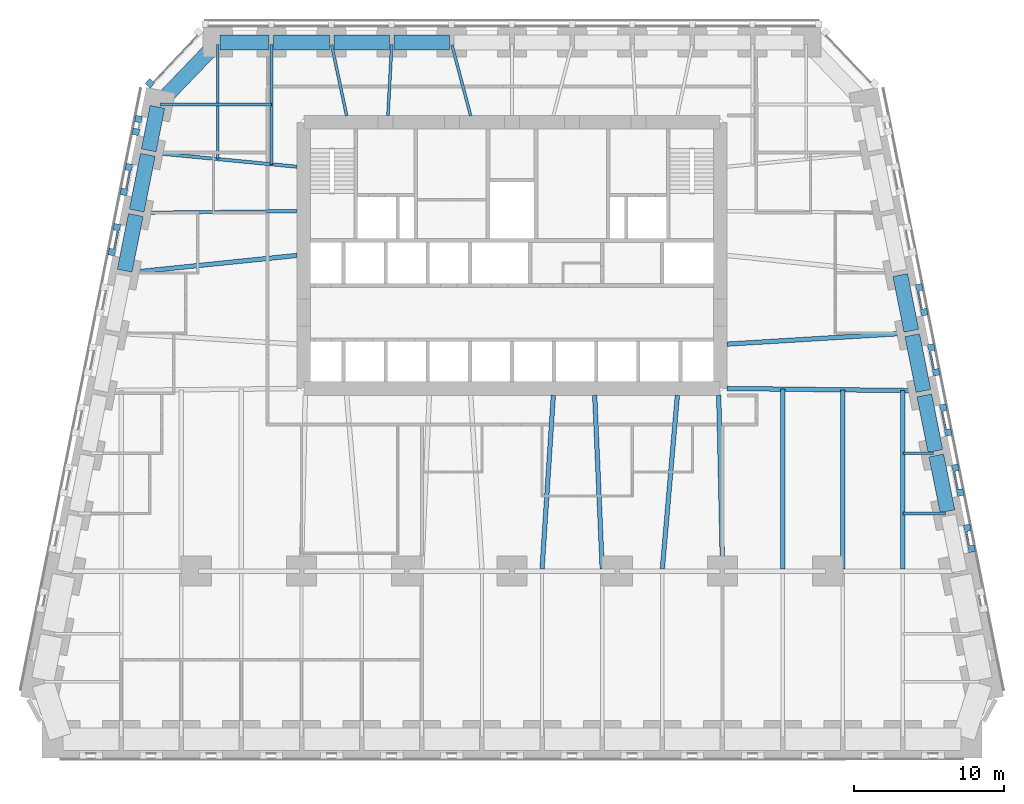
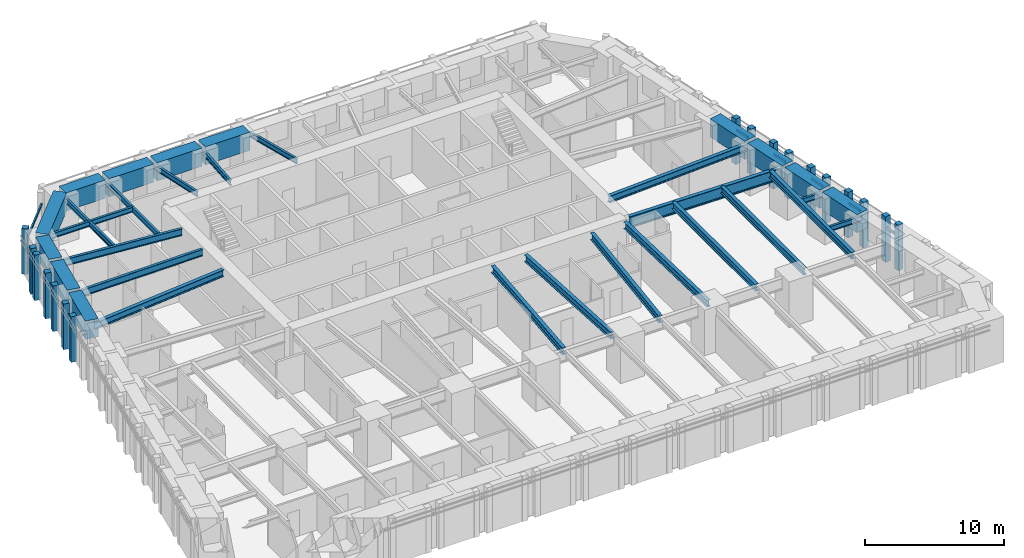
# One storey, part 3 of 16: 32 beams, 25 members, 9 elements without a shape of their own.
"""IFC4 building model written with IfcOpenShell, lengths in metres."""

from ifc_helpers import new_model, si_unit, direction, frame, origin, origin_2d, place, context, subcontext, project, spatial, rectangle, i_section, extrude, material, material_profile, profile_set, type_object, element, aggregate, save


model = new_model("IFC4")

# Units and contexts
model_context = context("Model", 3, precision=1e-05, world=origin(), true_north=direction((0.0, 1.0)))
body_context = subcontext(model_context, "Body", "Model", "MODEL_VIEW")
ifc_project = project(units=[si_unit("LENGTHUNIT", "METRE"), si_unit("AREAUNIT", "SQUARE_METRE"), si_unit("VOLUMEUNIT", "CUBIC_METRE"), si_unit("PLANEANGLEUNIT", "RADIAN"), si_unit("MASSUNIT", "GRAM", prefix="KILO")], contexts=[model_context])

# Site, building, storey
site_placement = place(None, origin())
site = spatial("IfcSite", under=ifc_project, at=site_placement, CompositionType="ELEMENT")
building_placement = place(site_placement, origin())
building = spatial("IfcBuilding", under=site, at=building_placement, Name="Isbrekke Arena Tower", CompositionType="ELEMENT")
storey_placement = place(building_placement, frame((0.0, 0.0, 52.0)))
storey = spatial("IfcBuildingStorey", under=building, at=storey_placement, Name="L10", CompositionType="ELEMENT", Elevation=52.0)

# Beams
ifc_material_1 = material(Name="Steel S355", Category="steel")
ifc_material_profile_1 = material_profile(ifc_material_1, i_section(OverallWidth=0.219970703125, OverallDepth=0.60009765625, WebThickness=0.011962890625, FlangeThickness=0.01904296875, FilletRadius=0.02392578125, at=origin_2d()), Name="IPE 600")
ifc_profile_set_1 = profile_set([ifc_material_profile_1], Name="Steel S355")
beam_type_1 = type_object("IfcBeamType", Name="B1 IPE 600", PredefinedType="BEAM", material=ifc_profile_set_1)
beam_1_placement = place(storey_placement, frame((-24.030517578125, 21.837158203125, 3.550048828125), z_axis=(0.995393091527, -0.095878012805, 0.0), x_axis=(0.095878012805, 0.995393091527, 0.0)))
element("IfcBeam", 1, at=beam_1_placement, inside=storey, type_object=beam_type_1, Name="B1 beam E-W02 L10", PredefinedType="BEAM", context=body_context, shape_type="SweptSolid", body=[
    extrude(i_section(OverallWidth=0.219970703125, OverallDepth=0.60009765625, WebThickness=0.011962890625, FlangeThickness=0.01904296875, FilletRadius=0.02392578125, at=origin_2d()), origin(), (0.0, 0.0, 1.0), 9.775390625),
])
beam_2_placement = place(storey_placement, frame((-24.83984375, 17.838134765625, 3.550048828125), z_axis=(0.999943729589, 0.010608376645, 0.0), x_axis=(-0.010608376645, 0.999943729589, 0.0)))
element("IfcBeam", 2, at=beam_2_placement, inside=storey, type_object=beam_type_1, Name="B1 beam E-W03 L10", PredefinedType="BEAM", context=body_context, shape_type="SweptSolid", body=[
    extrude(i_section(OverallWidth=0.219970703125, OverallDepth=0.60009765625, WebThickness=0.011962890625, FlangeThickness=0.01904296875, FilletRadius=0.02392578125, at=origin_2d()), origin(), (0.0, 0.0, 1.0), 10.540283203125),
])
ifc_material_2 = material(Name="Steel S355", Category="steel")
ifc_material_profile_2 = material_profile(ifc_material_2, i_section(OverallWidth=0.18994140625, OverallDepth=0.449951171875, WebThickness=0.009521484375, FlangeThickness=0.0146484375, FilletRadius=0.02099609375, at=origin_2d()), Name="IPE 450")
ifc_profile_set_2 = profile_set([ifc_material_profile_2], Name="Steel S355")
beam_type_2 = type_object("IfcBeamType", Name="B2 IPE 450", PredefinedType="BEAM", material=ifc_profile_set_2)
beam_3_placement = place(storey_placement, frame((28.841064453125, -2.161865234375, 3.625), z_axis=(-1.0, 0.0, 0.0), x_axis=(0.0, -1.0, 0.0)))
element("IfcBeam", 3, at=beam_3_placement, inside=storey, type_object=beam_type_2, Name="B2 beam E-E04 L10", PredefinedType="BEAM", context=body_context, shape_type="SweptSolid", body=[
    extrude(i_section(OverallWidth=0.18994140625, OverallDepth=0.449951171875, WebThickness=0.009521484375, FlangeThickness=0.0146484375, FilletRadius=0.02099609375, at=origin_2d()), origin(), (0.0, 0.0, 1.0), 2.841064453125),
])
beam_4_placement = place(storey_placement, frame((28.041015625, 1.838134765625, 3.625), z_axis=(-1.0, 0.0, 0.0), x_axis=(0.0, -1.0, 0.0)))
element("IfcBeam", 4, at=beam_4_placement, inside=storey, type_object=beam_type_2, Name="B2 beam E-E05 L10", PredefinedType="BEAM", context=body_context, shape_type="SweptSolid", body=[
    extrude(i_section(OverallWidth=0.18994140625, OverallDepth=0.449951171875, WebThickness=0.009521484375, FlangeThickness=0.0146484375, FilletRadius=0.02099609375, at=origin_2d()), origin(), (0.0, 0.0, 1.0), 2.041015625),
])
beam_5_placement = place(storey_placement, frame((-23.40283203125, 25.029296875, 3.625), z_axis=(1.0, 0.0, 0.0), x_axis=(0.0, 1.0, 0.0)))
element("IfcBeam", 5, at=beam_5_placement, inside=storey, type_object=beam_type_2, Name="B2 beam E-W01 L10", PredefinedType="BEAM", context=body_context, shape_type="SweptSolid", body=[
    extrude(i_section(OverallWidth=0.18994140625, OverallDepth=0.449951171875, WebThickness=0.009521484375, FlangeThickness=0.0146484375, FilletRadius=0.02099609375, at=origin_2d()), origin(), (0.0, 0.0, 1.0), 7.40283203125),
])
ifc_material_3 = material(Name="Steel S355", Category="steel")
ifc_material_profile_3 = material_profile(ifc_material_3, i_section(OverallWidth=0.18994140625, OverallDepth=0.449951171875, WebThickness=0.009521484375, FlangeThickness=0.0146484375, FilletRadius=0.02099609375, at=origin_2d()), Name="IPE 450")
ifc_profile_set_3 = profile_set([ifc_material_profile_3], Name="Steel S355")
beam_type_3 = type_object("IfcBeamType", Name="B3 IPE 450", PredefinedType="BEAM", material=ifc_profile_set_3)
beam_6_placement = place(storey_placement, frame((-16.0, 29.02490234375, 3.625), z_axis=(0.0, -1.0, 0.0), x_axis=(1.0, 0.0, 0.0)))
element("IfcBeam", 6, at=beam_6_placement, inside=storey, type_object=beam_type_3, Name="B3 beam N-N10 L10", PredefinedType="BEAM", context=body_context, shape_type="SweptSolid", body=[
    extrude(i_section(OverallWidth=0.18994140625, OverallDepth=0.449951171875, WebThickness=0.009521484375, FlangeThickness=0.0146484375, FilletRadius=0.02099609375, at=origin_2d()), origin(), (0.0, 0.0, 1.0), 7.961181640625),
])
beam_7_placement = place(storey_placement, frame((-19.574951171875, 29.02490234375, 3.625), z_axis=(0.0, -1.0, 0.0), x_axis=(1.0, 0.0, 0.0)))
element("IfcBeam", 7, at=beam_7_placement, inside=storey, type_object=beam_type_3, Name="B3 beam N-N11 L10", PredefinedType="BEAM", context=body_context, shape_type="SweptSolid", body=[
    extrude(i_section(OverallWidth=0.18994140625, OverallDepth=0.449951171875, WebThickness=0.009521484375, FlangeThickness=0.0146484375, FilletRadius=0.02099609375, at=origin_2d()), origin(), (0.0, 0.0, 1.0), 7.616943359375),
])
beam_8_placement = place(storey_placement, frame((-3.993896484375, 29.00146484375, 3.625), z_axis=(0.255778031922, -0.966735536942, 0.0), x_axis=(0.966735536942, 0.255778031922, 0.0)))
element("IfcBeam", 8, at=beam_8_placement, inside=storey, type_object=beam_type_3, Name="B3 beam N-N07 L10", PredefinedType="BEAM", context=body_context, shape_type="SweptSolid", body=[
    extrude(i_section(OverallWidth=0.18994140625, OverallDepth=0.449951171875, WebThickness=0.009521484375, FlangeThickness=0.0146484375, FilletRadius=0.02099609375, at=origin_2d()), origin(), (0.0, 0.0, 1.0), 4.86328125),
])
beam_9_placement = place(storey_placement, frame((-8.000244140625, 29.02001953125, 3.625), z_axis=(-0.05284078094, -0.998602950061, 0.0), x_axis=(0.998602950061, -0.05284078094, 0.0)))
element("IfcBeam", 9, at=beam_9_placement, inside=storey, type_object=beam_type_3, Name="B3 beam N-N08 L10", PredefinedType="BEAM", context=body_context, shape_type="SweptSolid", body=[
    extrude(i_section(OverallWidth=0.18994140625, OverallDepth=0.449951171875, WebThickness=0.009521484375, FlangeThickness=0.0146484375, FilletRadius=0.02099609375, at=origin_2d()), origin(), (0.0, 0.0, 1.0), 4.7265625),
])
beam_10_placement = place(storey_placement, frame((-11.995849609375, 29.005859375, 3.625), z_axis=(0.207036135686, -0.978333296234, 0.0), x_axis=(0.978333296234, 0.207036135686, 0.0)))
element("IfcBeam", 10, at=beam_10_placement, inside=storey, type_object=beam_type_3, Name="B3 beam N-N09 L10", PredefinedType="BEAM", context=body_context, shape_type="SweptSolid", body=[
    extrude(i_section(OverallWidth=0.18994140625, OverallDepth=0.449951171875, WebThickness=0.009521484375, FlangeThickness=0.0146484375, FilletRadius=0.02099609375, at=origin_2d()), origin(), (0.0, 0.0, 1.0), 4.81005859375),
])
ifc_material_4 = material(Name="Steel S355", Category="steel")
ifc_material_profile_4 = material_profile(ifc_material_4, i_section(OverallWidth=0.300048828125, OverallDepth=0.60009765625, WebThickness=0.015380859375, FlangeThickness=0.030029296875, FilletRadius=0.027099609375, at=origin_2d()), Name="HEB 600")
ifc_profile_set_4 = profile_set([ifc_material_profile_4], Name="Steel S355")
beam_type_4 = type_object("IfcBeamType", Name="B7 HEB 600", PredefinedType="BEAM", material=ifc_profile_set_4)
beam_11_placement = place(storey_placement, frame((2.000732421875, -5.83935546875, 3.550048828125), z_axis=(0.064795318476, 0.997898575359, 0.0), x_axis=(-0.997898575359, 0.064795318476, 0.0)))
element("IfcBeam", 11, at=beam_11_placement, inside=storey, type_object=beam_type_4, Name="B7 beam C-M08 L10", PredefinedType="BEAM", context=body_context, shape_type="SweptSolid", body=[
    extrude(i_section(OverallWidth=0.300048828125, OverallDepth=0.60009765625, WebThickness=0.015380859375, FlangeThickness=0.030029296875, FilletRadius=0.027099609375, at=origin_2d()), origin(), (0.0, 0.0, 1.0), 11.563720703125),
])
beam_12_placement = place(storey_placement, frame((5.999755859375, -5.842529296875, 3.550048828125), z_axis=(-0.04325656756, 0.99906399663, 0.0), x_axis=(-0.99906399663, -0.04325656756, 0.0)))
element("IfcBeam", 12, at=beam_12_placement, inside=storey, type_object=beam_type_4, Name="B7 beam C-M09 L10", PredefinedType="BEAM", context=body_context, shape_type="SweptSolid", body=[
    extrude(i_section(OverallWidth=0.300048828125, OverallDepth=0.60009765625, WebThickness=0.015380859375, FlangeThickness=0.030029296875, FilletRadius=0.027099609375, at=origin_2d()), origin(), (0.0, 0.0, 1.0), 11.55322265625),
])
beam_13_placement = place(storey_placement, frame((10.001220703125, -5.836181640625, 3.550048828125), z_axis=(0.086255671377, 0.996273034442, 0.0), x_axis=(-0.996273034442, 0.086255671377, 0.0)))
element("IfcBeam", 13, at=beam_13_placement, inside=storey, type_object=beam_type_4, Name="B7 beam C-M10 L10", PredefinedType="BEAM", context=body_context, shape_type="SweptSolid", body=[
    extrude(i_section(OverallWidth=0.300048828125, OverallDepth=0.60009765625, WebThickness=0.015380859375, FlangeThickness=0.030029296875, FilletRadius=0.027099609375, at=origin_2d()), origin(), (0.0, 0.0, 1.0), 11.579345703125),
])
beam_14_placement = place(storey_placement, frame((14.0, -5.8466796875, 3.550048828125), z_axis=(-0.021646264273, 0.999765692171, 0.0), x_axis=(-0.999765692171, -0.021646264273, 0.0)))
element("IfcBeam", 14, at=beam_14_placement, inside=storey, type_object=beam_type_4, Name="B7 beam C-M11 L10", PredefinedType="BEAM", context=body_context, shape_type="SweptSolid", body=[
    extrude(i_section(OverallWidth=0.300048828125, OverallDepth=0.60009765625, WebThickness=0.015380859375, FlangeThickness=0.030029296875, FilletRadius=0.027099609375, at=origin_2d()), origin(), (0.0, 0.0, 1.0), 11.54931640625),
])
beam_15_placement = place(storey_placement, frame((18.0, -5.84912109375, 3.550048828125), z_axis=(0.0, 1.0, 0.0), x_axis=(-1.0, 0.0, 0.0)))
element("IfcBeam", 15, at=beam_15_placement, inside=storey, type_object=beam_type_4, Name="B7 beam C-M12 L10", PredefinedType="BEAM", context=body_context, shape_type="SweptSolid", body=[
    extrude(i_section(OverallWidth=0.300048828125, OverallDepth=0.60009765625, WebThickness=0.015380859375, FlangeThickness=0.030029296875, FilletRadius=0.027099609375, at=origin_2d()), origin(), (0.0, 0.0, 1.0), 11.956787109375),
])
beam_16_placement = place(storey_placement, frame((22.0, -5.84912109375, 3.550048828125), z_axis=(0.0, 1.0, 0.0), x_axis=(-1.0, 0.0, 0.0)))
element("IfcBeam", 16, at=beam_16_placement, inside=storey, type_object=beam_type_4, Name="B7 beam C-M13 L10", PredefinedType="BEAM", context=body_context, shape_type="SweptSolid", body=[
    extrude(i_section(OverallWidth=0.300048828125, OverallDepth=0.60009765625, WebThickness=0.015380859375, FlangeThickness=0.030029296875, FilletRadius=0.027099609375, at=origin_2d()), origin(), (0.0, 0.0, 1.0), 11.910888671875),
])
beam_17_placement = place(storey_placement, frame((26.0, -5.84912109375, 3.550048828125), z_axis=(0.0, 1.0, 0.0), x_axis=(-1.0, 0.0, 0.0)))
element("IfcBeam", 17, at=beam_17_placement, inside=storey, type_object=beam_type_4, Name="B7 beam C-M14 L10", PredefinedType="BEAM", context=body_context, shape_type="SweptSolid", body=[
    extrude(i_section(OverallWidth=0.300048828125, OverallDepth=0.60009765625, WebThickness=0.015380859375, FlangeThickness=0.030029296875, FilletRadius=0.027099609375, at=origin_2d()), origin(), (0.0, 0.0, 1.0), 11.864990234375),
])
beam_18_placement = place(storey_placement, frame((26.431884765625, 9.837646484375, 3.550048828125), z_axis=(-0.998157121592, -0.060682457223, 0.0), x_axis=(0.060682457223, -0.998157121592, 0.0)))
element("IfcBeam", 18, at=beam_18_placement, inside=storey, type_object=beam_type_4, Name="B7 beam E-E07 L10", PredefinedType="BEAM", context=body_context, shape_type="SweptSolid", body=[
    extrude(i_section(OverallWidth=0.300048828125, OverallDepth=0.60009765625, WebThickness=0.015380859375, FlangeThickness=0.030029296875, FilletRadius=0.027099609375, at=origin_2d()), origin(), (0.0, 0.0, 1.0), 12.154296875),
])
beam_19_placement = place(storey_placement, frame((-25.625732421875, 13.83984375, 3.550048828125), z_axis=(0.994794378016, 0.101902627384, 0.0), x_axis=(-0.101902627384, 0.994794378016, 0.0)))
element("IfcBeam", 19, at=beam_19_placement, inside=storey, type_object=beam_type_4, Name="B7 beam E-W04 L10", PredefinedType="BEAM", context=body_context, shape_type="SweptSolid", body=[
    extrude(i_section(OverallWidth=0.300048828125, OverallDepth=0.60009765625, WebThickness=0.015380859375, FlangeThickness=0.030029296875, FilletRadius=0.027099609375, at=origin_2d()), origin(), (0.0, 0.0, 1.0), 11.385009765625),
])

# Curtain wall, members
ifc_material_5 = material(Name="Glazed aluminium curtain wall", Category="aluminium")
curtain_wall_type = type_object("IfcCurtainWallType", Name="CWL TOWER CURTAIN WALL LOW ZONE", PredefinedType="USERDEFINED", material=ifc_material_5)
curtain_wall_1_placement = place(storey_placement, origin())
curtain_wall_1 = element("IfcCurtainWall", 20, at=curtain_wall_1_placement, inside=storey, type_object=curtain_wall_type, Name="CWL curtain wall L10-E5", ObjectType="TOWER CURTAIN WALL LOW ZONE", PredefinedType="USERDEFINED")
ifc_material_6 = material(Name="Aluminium mullion, pale brick slip cladding", Category="masonry")
ifc_material_profile_5 = material_profile(ifc_material_6, rectangle(XDim=0.449951171875, YDim=0.449951171875, at=origin_2d()), Name="PIER 450X450")
ifc_profile_set_5 = profile_set([ifc_material_profile_5], Name="Aluminium mullion, pale brick slip cladding")
member_type_1 = type_object("IfcMemberType", Name="CWL-M PIER MULLION 450 x 450", PredefinedType="MULLION", material=ifc_profile_set_5)
member_1_placement = place(storey_placement, frame((30.555908203125, -4.504638671875, 0.0), z_axis=(0.0, 0.0, 1.0), x_axis=(-0.196116135138, 0.980580675691, 0.0)))
member_1 = element("IfcMember", 21, at=member_1_placement, type_object=member_type_1, Name="CWL-M mullion 1", PredefinedType="MULLION", context=body_context, shape_type="SweptSolid", body=[
    extrude(rectangle(XDim=0.449951171875, YDim=0.449951171875, at=origin_2d()), origin(), (0.0, 0.0, 1.0), 4.0),
])
member_2_placement = place(storey_placement, frame((30.280517578125, -3.127685546875, 0.0), z_axis=(0.0, 0.0, 1.0), x_axis=(-0.196116135138, 0.980580675691, 0.0)))
member_2 = element("IfcMember", 22, at=member_2_placement, type_object=member_type_1, Name="CWL-M mullion 2", PredefinedType="MULLION", context=body_context, shape_type="SweptSolid", body=[
    extrude(rectangle(XDim=0.449951171875, YDim=0.449951171875, at=origin_2d()), origin(), (0.0, 0.0, 1.0), 4.0),
])

curtain_wall_2_placement = place(storey_placement, origin())
curtain_wall_2 = element("IfcCurtainWall", 23, at=curtain_wall_2_placement, inside=storey, type_object=curtain_wall_type, Name="CWL curtain wall L10-E7", ObjectType="TOWER CURTAIN WALL LOW ZONE", PredefinedType="USERDEFINED")
member_3_placement = place(storey_placement, frame((29.809814453125, -0.774169921875, 0.0), z_axis=(0.0, 0.0, 1.0), x_axis=(-0.196116135138, 0.980580675691, 0.0)))
member_3 = element("IfcMember", 24, at=member_3_placement, type_object=member_type_1, Name="CWL-M mullion 1", PredefinedType="MULLION", context=body_context, shape_type="SweptSolid", body=[
    extrude(rectangle(XDim=0.449951171875, YDim=0.449951171875, at=origin_2d()), origin(), (0.0, 0.0, 1.0), 4.0),
])
member_4_placement = place(storey_placement, frame((29.48046875, 0.872314453125, 0.0), z_axis=(0.0, 0.0, 1.0), x_axis=(-0.196116135138, 0.980580675691, 0.0)))
member_4 = element("IfcMember", 25, at=member_4_placement, type_object=member_type_1, Name="CWL-M mullion 2", PredefinedType="MULLION", context=body_context, shape_type="SweptSolid", body=[
    extrude(rectangle(XDim=0.449951171875, YDim=0.449951171875, at=origin_2d()), origin(), (0.0, 0.0, 1.0), 4.0),
])

curtain_wall_3_placement = place(storey_placement, origin())
curtain_wall_3 = element("IfcCurtainWall", 26, at=curtain_wall_3_placement, inside=storey, type_object=curtain_wall_type, Name="CWL curtain wall L10-E9", ObjectType="TOWER CURTAIN WALL LOW ZONE", PredefinedType="USERDEFINED")
member_5_placement = place(storey_placement, frame((29.009765625, 3.225830078125, 0.0), z_axis=(0.0, 0.0, 1.0), x_axis=(-0.196116135138, 0.980580675691, 0.0)))
member_5 = element("IfcMember", 27, at=member_5_placement, type_object=member_type_1, Name="CWL-M mullion 1", PredefinedType="MULLION", context=body_context, shape_type="SweptSolid", body=[
    extrude(rectangle(XDim=0.449951171875, YDim=0.449951171875, at=origin_2d()), origin(), (0.0, 0.0, 1.0), 4.0),
])
member_6_placement = place(storey_placement, frame((28.680419921875, 4.872314453125, 0.0), z_axis=(0.0, 0.0, 1.0), x_axis=(-0.196116135138, 0.980580675691, 0.0)))
member_6 = element("IfcMember", 28, at=member_6_placement, type_object=member_type_1, Name="CWL-M mullion 2", PredefinedType="MULLION", context=body_context, shape_type="SweptSolid", body=[
    extrude(rectangle(XDim=0.449951171875, YDim=0.449951171875, at=origin_2d()), origin(), (0.0, 0.0, 1.0), 4.0),
])

curtain_wall_4_placement = place(storey_placement, origin())
curtain_wall_4 = element("IfcCurtainWall", 29, at=curtain_wall_4_placement, inside=storey, type_object=curtain_wall_type, Name="CWL curtain wall L10-E11", ObjectType="TOWER CURTAIN WALL LOW ZONE", PredefinedType="USERDEFINED")
member_7_placement = place(storey_placement, frame((28.209716796875, 7.225830078125, 0.0), z_axis=(0.0, 0.0, 1.0), x_axis=(-0.196116135138, 0.980580675691, 0.0)))
member_7 = element("IfcMember", 30, at=member_7_placement, type_object=member_type_1, Name="CWL-M mullion 1", PredefinedType="MULLION", context=body_context, shape_type="SweptSolid", body=[
    extrude(rectangle(XDim=0.449951171875, YDim=0.449951171875, at=origin_2d()), origin(), (0.0, 0.0, 1.0), 4.0),
])
member_8_placement = place(storey_placement, frame((27.88037109375, 8.872314453125, 0.0), z_axis=(0.0, 0.0, 1.0), x_axis=(-0.196116135138, 0.980580675691, 0.0)))
member_8 = element("IfcMember", 31, at=member_8_placement, type_object=member_type_1, Name="CWL-M mullion 2", PredefinedType="MULLION", context=body_context, shape_type="SweptSolid", body=[
    extrude(rectangle(XDim=0.449951171875, YDim=0.449951171875, at=origin_2d()), origin(), (0.0, 0.0, 1.0), 4.0),
])

curtain_wall_5_placement = place(storey_placement, origin())
curtain_wall_5 = element("IfcCurtainWall", 32, at=curtain_wall_5_placement, inside=storey, type_object=curtain_wall_type, Name="CWL curtain wall L10-E13", ObjectType="TOWER CURTAIN WALL LOW ZONE", PredefinedType="USERDEFINED")
member_9_placement = place(storey_placement, frame((27.409912109375, 11.225830078125, 0.0), z_axis=(0.0, 0.0, 1.0), x_axis=(-0.196116135138, 0.980580675691, 0.0)))
member_9 = element("IfcMember", 33, at=member_9_placement, type_object=member_type_1, Name="CWL-M mullion 1", PredefinedType="MULLION", context=body_context, shape_type="SweptSolid", body=[
    extrude(rectangle(XDim=0.449951171875, YDim=0.449951171875, at=origin_2d()), origin(), (0.0, 0.0, 1.0), 4.0),
])
member_10_placement = place(storey_placement, frame((27.08056640625, 12.872314453125, 0.0), z_axis=(0.0, 0.0, 1.0), x_axis=(-0.196116135138, 0.980580675691, 0.0)))
member_10 = element("IfcMember", 34, at=member_10_placement, type_object=member_type_1, Name="CWL-M mullion 2", PredefinedType="MULLION", context=body_context, shape_type="SweptSolid", body=[
    extrude(rectangle(XDim=0.449951171875, YDim=0.449951171875, at=origin_2d()), origin(), (0.0, 0.0, 1.0), 4.0),
])

# Curtain wall, member
curtain_wall_6_placement = place(storey_placement, origin())
curtain_wall_6 = element("IfcCurtainWall", 35, at=curtain_wall_6_placement, inside=storey, type_object=curtain_wall_type, Name="CWL curtain wall L10-NW", ObjectType="TOWER CURTAIN WALL LOW ZONE", PredefinedType="USERDEFINED")
member_11_placement = place(storey_placement, frame((-24.087890625, 26.44482421875, 0.0), z_axis=(0.0, 0.0, 1.0), x_axis=(-0.68874946192, -0.72499943359, 0.0)))
member_11 = element("IfcMember", 36, at=member_11_placement, type_object=member_type_1, Name="CWL-M mullion 2", PredefinedType="MULLION", context=body_context, shape_type="SweptSolid", body=[
    extrude(rectangle(XDim=0.449951171875, YDim=0.449951171875, at=origin_2d()), origin(), (0.0, 0.0, 1.0), 4.0),
])

# Curtain wall, members
curtain_wall_7_placement = place(storey_placement, origin())
curtain_wall_7 = element("IfcCurtainWall", 37, at=curtain_wall_7_placement, inside=storey, type_object=curtain_wall_type, Name="CWL curtain wall L10-W", ObjectType="TOWER CURTAIN WALL LOW ZONE", PredefinedType="USERDEFINED")
member_12_placement = place(storey_placement, frame((-24.841796875, 24.065185546875, 0.0), z_axis=(0.0, 0.0, 1.0), x_axis=(-0.196116135138, -0.980580675691, 0.0)))
member_12 = element("IfcMember", 38, at=member_12_placement, type_object=member_type_1, Name="CWL-M mullion 1", PredefinedType="MULLION", context=body_context, shape_type="SweptSolid", body=[
    extrude(rectangle(XDim=0.449951171875, YDim=0.449951171875, at=origin_2d()), origin(), (0.0, 0.0, 1.0), 4.0),
])
member_13_placement = place(storey_placement, frame((-25.009765625, 23.225830078125, 0.0), z_axis=(0.0, 0.0, 1.0), x_axis=(-0.196116135138, -0.980580675691, 0.0)))
member_13 = element("IfcMember", 39, at=member_13_placement, type_object=member_type_1, Name="CWL-M mullion 2", PredefinedType="MULLION", context=body_context, shape_type="SweptSolid", body=[
    extrude(rectangle(XDim=0.449951171875, YDim=0.449951171875, at=origin_2d()), origin(), (0.0, 0.0, 1.0), 4.0),
])
aggregate(curtain_wall_7, [member_12, member_13])

curtain_wall_8_placement = place(storey_placement, origin())
curtain_wall_8 = element("IfcCurtainWall", 40, at=curtain_wall_8_placement, inside=storey, type_object=curtain_wall_type, Name="CWL curtain wall L10-W3", ObjectType="TOWER CURTAIN WALL LOW ZONE", PredefinedType="USERDEFINED")
member_14_placement = place(storey_placement, frame((-25.48046875, 20.872314453125, 0.0), z_axis=(0.0, 0.0, 1.0), x_axis=(-0.196116135138, -0.980580675691, 0.0)))
member_14 = element("IfcMember", 41, at=member_14_placement, type_object=member_type_1, Name="CWL-M mullion 1", PredefinedType="MULLION", context=body_context, shape_type="SweptSolid", body=[
    extrude(rectangle(XDim=0.449951171875, YDim=0.449951171875, at=origin_2d()), origin(), (0.0, 0.0, 1.0), 4.0),
])
member_15_placement = place(storey_placement, frame((-25.809814453125, 19.225830078125, 0.0), z_axis=(0.0, 0.0, 1.0), x_axis=(-0.196116135138, -0.980580675691, 0.0)))
member_15 = element("IfcMember", 42, at=member_15_placement, type_object=member_type_1, Name="CWL-M mullion 2", PredefinedType="MULLION", context=body_context, shape_type="SweptSolid", body=[
    extrude(rectangle(XDim=0.449951171875, YDim=0.449951171875, at=origin_2d()), origin(), (0.0, 0.0, 1.0), 4.0),
])

curtain_wall_9_placement = place(storey_placement, origin())
curtain_wall_9 = element("IfcCurtainWall", 43, at=curtain_wall_9_placement, inside=storey, type_object=curtain_wall_type, Name="CWL curtain wall L10-W5", ObjectType="TOWER CURTAIN WALL LOW ZONE", PredefinedType="USERDEFINED")
member_16_placement = place(storey_placement, frame((-26.280517578125, 16.872314453125, 0.0), z_axis=(0.0, 0.0, 1.0), x_axis=(-0.196116135138, -0.980580675691, 0.0)))
member_16 = element("IfcMember", 44, at=member_16_placement, type_object=member_type_1, Name="CWL-M mullion 1", PredefinedType="MULLION", context=body_context, shape_type="SweptSolid", body=[
    extrude(rectangle(XDim=0.449951171875, YDim=0.449951171875, at=origin_2d()), origin(), (0.0, 0.0, 1.0), 4.0),
])
member_17_placement = place(storey_placement, frame((-26.60986328125, 15.225830078125, 0.0), z_axis=(0.0, 0.0, 1.0), x_axis=(-0.196116135138, -0.980580675691, 0.0)))
member_17 = element("IfcMember", 45, at=member_17_placement, type_object=member_type_1, Name="CWL-M mullion 2", PredefinedType="MULLION", context=body_context, shape_type="SweptSolid", body=[
    extrude(rectangle(XDim=0.449951171875, YDim=0.449951171875, at=origin_2d()), origin(), (0.0, 0.0, 1.0), 4.0),
])

# Member
ifc_material_7 = material(Name="Aluminium transom", Category="aluminium")
ifc_material_profile_6 = material_profile(ifc_material_7, rectangle(XDim=0.1201171875, YDim=0.199951171875, at=origin_2d()), Name="TRANSOM 120X200")
ifc_profile_set_6 = profile_set([ifc_material_profile_6], Name="Aluminium transom")
member_type_2 = type_object("IfcMemberType", Name="CWL-T TRANSOM 120 x 200", PredefinedType="USERDEFINED", material=ifc_profile_set_6)
member_18_placement = place(storey_placement, frame((30.38916015625, -4.30859375, 3.0), z_axis=(-0.19596853661, 0.980610183844, 0.0), x_axis=(-0.980610183844, -0.19596853661, 0.0)))
member_18 = element("IfcMember", 46, at=member_18_placement, type_object=member_type_2, Name="CWL-T transom 1", ObjectType="TRANSOM", PredefinedType="USERDEFINED", context=body_context, shape_type="SweptSolid", body=[
    extrude(rectangle(XDim=0.1201171875, YDim=0.199951171875, at=origin_2d()), origin(), (0.0, 0.0, 1.0), 0.954345703125),
])

aggregate(curtain_wall_1, [member_1, member_2, member_18])

member_19_placement = place(storey_placement, frame((29.64306640625, -0.578125, 3.0), z_axis=(-0.196039741533, 0.980595951317, 0.0), x_axis=(-0.980595951317, -0.196039741533, 0.0)))
member_19 = element("IfcMember", 47, at=member_19_placement, type_object=member_type_2, Name="CWL-T transom 1", ObjectType="TRANSOM", PredefinedType="USERDEFINED", context=body_context, shape_type="SweptSolid", body=[
    extrude(rectangle(XDim=0.1201171875, YDim=0.199951171875, at=origin_2d()), origin(), (0.0, 0.0, 1.0), 1.229248046875),
])

aggregate(curtain_wall_2, [member_3, member_4, member_19])

member_20_placement = place(storey_placement, frame((28.843017578125, 3.421875, 3.0), z_axis=(-0.196039741533, 0.980595951317, 0.0), x_axis=(-0.980595951317, -0.196039741533, 0.0)))
member_20 = element("IfcMember", 48, at=member_20_placement, type_object=member_type_2, Name="CWL-T transom 1", ObjectType="TRANSOM", PredefinedType="USERDEFINED", context=body_context, shape_type="SweptSolid", body=[
    extrude(rectangle(XDim=0.1201171875, YDim=0.199951171875, at=origin_2d()), origin(), (0.0, 0.0, 1.0), 1.229248046875),
])

aggregate(curtain_wall_3, [member_5, member_6, member_20])

member_21_placement = place(storey_placement, frame((28.043212890625, 7.421875, 3.0), z_axis=(-0.19623071885, 0.980557751986, 0.0), x_axis=(-0.980557751986, -0.19623071885, 0.0)))
member_21 = element("IfcMember", 49, at=member_21_placement, type_object=member_type_2, Name="CWL-T transom 1", ObjectType="TRANSOM", PredefinedType="USERDEFINED", context=body_context, shape_type="SweptSolid", body=[
    extrude(rectangle(XDim=0.1201171875, YDim=0.199951171875, at=origin_2d()), origin(), (0.0, 0.0, 1.0), 1.229248046875),
])

aggregate(curtain_wall_4, [member_7, member_8, member_21])

member_22_placement = place(storey_placement, frame((27.2431640625, 11.421875, 3.0), z_axis=(-0.19623071885, 0.980557751986, 0.0), x_axis=(-0.980557751986, -0.19623071885, 0.0)))
member_22 = element("IfcMember", 50, at=member_22_placement, type_object=member_type_2, Name="CWL-T transom 1", ObjectType="TRANSOM", PredefinedType="USERDEFINED", context=body_context, shape_type="SweptSolid", body=[
    extrude(rectangle(XDim=0.1201171875, YDim=0.199951171875, at=origin_2d()), origin(), (0.0, 0.0, 1.0), 1.229248046875),
])

aggregate(curtain_wall_5, [member_9, member_10, member_22])

member_23_placement = place(storey_placement, frame((-20.93017578125, 29.587158203125, 3.0), z_axis=(-0.6887433918, -0.725005200155, 0.0), x_axis=(0.725005200155, -0.6887433918, 0.0)))
member_23 = element("IfcMember", 51, at=member_23_placement, type_object=member_type_2, Name="CWL-T transom 1", ObjectType="TRANSOM", PredefinedType="USERDEFINED", context=body_context, shape_type="SweptSolid", body=[
    extrude(rectangle(XDim=0.1201171875, YDim=0.199951171875, at=origin_2d()), origin(), (0.0, 0.0, 1.0), 4.22802734375),
])

aggregate(curtain_wall_6, [member_11, member_23])

member_24_placement = place(storey_placement, frame((-25.402099609375, 20.627197265625, 3.0), z_axis=(-0.196039741533, -0.980595951317, 0.0), x_axis=(0.980595951317, -0.196039741533, 0.0)))
member_24 = element("IfcMember", 52, at=member_24_placement, type_object=member_type_2, Name="CWL-T transom 1", ObjectType="TRANSOM", PredefinedType="USERDEFINED", context=body_context, shape_type="SweptSolid", body=[
    extrude(rectangle(XDim=0.1201171875, YDim=0.199951171875, at=origin_2d()), origin(), (0.0, 0.0, 1.0), 1.229248046875),
])

aggregate(curtain_wall_8, [member_14, member_15, member_24])

member_25_placement = place(storey_placement, frame((-26.2021484375, 16.627197265625, 3.0), z_axis=(-0.196039741533, -0.980595951317, 0.0), x_axis=(0.980595951317, -0.196039741533, 0.0)))
member_25 = element("IfcMember", 53, at=member_25_placement, type_object=member_type_2, Name="CWL-T transom 1", ObjectType="TRANSOM", PredefinedType="USERDEFINED", context=body_context, shape_type="SweptSolid", body=[
    extrude(rectangle(XDim=0.1201171875, YDim=0.199951171875, at=origin_2d()), origin(), (0.0, 0.0, 1.0), 1.229248046875),
])

aggregate(curtain_wall_9, [member_16, member_17, member_25])

# Beams
ifc_material_8 = material(Name="Steel S355", Category="steel")
ifc_material_profile_7 = material_profile(ifc_material_8, i_section(OverallWidth=0.302001953125, OverallDepth=1.008056640625, WebThickness=0.02099609375, FlangeThickness=0.0400390625, FilletRadius=0.030029296875, at=origin_2d()), Name="HEM 1000")
ifc_profile_set_7 = profile_set([ifc_material_profile_7], Name="Steel S355")
beam_type_5 = type_object("IfcBeamType", Name="G2 HEM 1000", PredefinedType="BEAM", material=ifc_profile_set_7)
beam_20_placement = place(storey_placement, frame((14.300048828125, 6.14990234375, 3.345947265625), z_axis=(0.999934429634, -0.011451481699, 0.0), x_axis=(0.011451481699, 0.999934429634, 0.0)))
element("IfcBeam", 54, at=beam_20_placement, inside=storey, type_object=beam_type_5, Name="G2 beam G2-E L10", PredefinedType="BEAM", context=body_context, shape_type="SweptSolid", body=[
    extrude(i_section(OverallWidth=0.302001953125, OverallDepth=1.008056640625, WebThickness=0.02099609375, FlangeThickness=0.0400390625, FilletRadius=0.030029296875, at=origin_2d()), origin(), (0.0, 0.0, 1.0), 13.09033203125),
])
ifc_material_9 = material(Name="Concrete B90 (C90/105)", Category="concrete")
ifc_material_profile_8 = material_profile(ifc_material_9, rectangle(XDim=1.0, YDim=1.60009765625, at=origin_2d()), Name="RC 1000x1600")
ifc_profile_set_8 = profile_set([ifc_material_profile_8], Name="Concrete B90 (C90/105)")
beam_type_6 = type_object("IfcBeamType", Name="SB1 RC 1000 x 1600", PredefinedType="SPANDREL", material=ifc_profile_set_8)
for number, where, z_axis, x_axis, name in (
    (55, (28.961669921875, -2.0146484375, 3.199951171875), (-0.196128558387, 0.980578190959, 0.0), (-0.980578190959, -0.196128558387, 0.0), "SB1 spandrel E04-E05 L10"),
    (56, (28.16162109375, 1.9853515625, 3.199951171875), (-0.196128558387, 0.980578190959, 0.0), (-0.980578190959, -0.196128558387, 0.0), "SB1 spandrel E05-E06 L10"),
    (57, (27.361572265625, 5.9853515625, 3.199951171875), (-0.196128558387, 0.980578190959, 0.0), (-0.980578190959, -0.196128558387, 0.0), "SB1 spandrel E06-E07 L10"),
):
    element("IfcBeam", number, at=place(storey_placement, frame(where, z_axis=z_axis, x_axis=x_axis)), inside=storey, type_object=beam_type_6, Name=name, PredefinedType="SPANDREL", context=body_context, shape_type="SweptSolid", body=[
        extrude(rectangle(XDim=1.0, YDim=1.60009765625, at=origin_2d()), origin(), (0.0, 0.0, 1.0), 3.779296875),
    ])
beam_21_placement = place(storey_placement, frame((26.5615234375, 9.9853515625, 3.199951171875), z_axis=(-0.1960664412, 0.980590613169, 0.0), x_axis=(-0.980590613169, -0.1960664412, 0.0)))
element("IfcBeam", 58, at=beam_21_placement, inside=storey, type_object=beam_type_6, Name="SB1 spandrel E07-E08 L10", PredefinedType="SPANDREL", context=body_context, shape_type="SweptSolid", body=[
    extrude(rectangle(XDim=1.0, YDim=1.60009765625, at=origin_2d()), origin(), (0.0, 0.0, 1.0), 3.779052734375),
])
for number, where, z_axis, x_axis, name in (
    (59, (-4.14990234375, 29.175048828125, 3.199951171875), (-1.0, 0.0, 0.0), (0.0, -1.0, 0.0), "SB1 spandrel N07-N08 L10"),
    (60, (-8.14990234375, 29.175048828125, 3.199951171875), (-1.0, 0.0, 0.0), (0.0, -1.0, 0.0), "SB1 spandrel N08-N09 L10"),
    (61, (-12.14990234375, 29.175048828125, 3.199951171875), (-1.0, 0.0, 0.0), (0.0, -1.0, 0.0), "SB1 spandrel N09-N10 L10"),
):
    element("IfcBeam", number, at=place(storey_placement, frame(where, z_axis=z_axis, x_axis=x_axis)), inside=storey, type_object=beam_type_6, Name=name, PredefinedType="SPANDREL", context=body_context, shape_type="SweptSolid", body=[
        extrude(rectangle(XDim=1.0, YDim=1.60009765625, at=origin_2d()), origin(), (0.0, 0.0, 1.0), 3.7001953125),
    ])
beam_22_placement = place(storey_placement, frame((-16.14990234375, 29.175048828125, 3.199951171875), z_axis=(-1.0, 0.0, 0.0), x_axis=(0.0, -1.0, 0.0)))
element("IfcBeam", 62, at=beam_22_placement, inside=storey, type_object=beam_type_6, Name="SB1 spandrel N10-N11 L10", PredefinedType="SPANDREL", context=body_context, shape_type="SweptSolid", body=[
    extrude(rectangle(XDim=1.0, YDim=1.60009765625, at=origin_2d()), origin(), (0.0, 0.0, 1.0), 3.275146484375),
])
beam_23_placement = place(storey_placement, frame((-19.678955078125, 29.066650390625, 3.199951171875), z_axis=(-0.692339547635, -0.721571861134, 0.0), x_axis=(0.721571861134, -0.692339547635, 0.0)))
element("IfcBeam", 63, at=beam_23_placement, inside=storey, type_object=beam_type_6, Name="SB1 spandrel N11-W01 L10", PredefinedType="SPANDREL", context=body_context, shape_type="SweptSolid", body=[
    extrude(rectangle(XDim=1.0, YDim=1.60009765625, at=origin_2d()), origin(), (0.0, 0.0, 1.0), 5.4453125),
])
beam_24_placement = place(storey_placement, frame((-23.582275390625, 24.882080078125, 3.199951171875), z_axis=(-0.196116135138, -0.980580675691, 0.0), x_axis=(0.980580675691, -0.196116135138, 0.0)))
element("IfcBeam", 64, at=beam_24_placement, inside=storey, type_object=beam_type_6, Name="SB1 spandrel W01-W02 L10", PredefinedType="SPANDREL", context=body_context, shape_type="SweptSolid", body=[
    extrude(rectangle(XDim=1.0, YDim=1.60009765625, at=origin_2d()), origin(), (0.0, 0.0, 1.0), 2.9541015625),
])
for number, where, z_axis, x_axis, name in (
    (65, (-24.220458984375, 21.691162109375, 3.199951171875), (-0.196128558387, -0.980578190959, 0.0), (0.980578190959, -0.196128558387, 0.0), "SB1 spandrel W02-W03 L10"),
    (66, (-25.0205078125, 17.691162109375, 3.199951171875), (-0.196128558387, -0.980578190959, 0.0), (0.980578190959, -0.196128558387, 0.0), "SB1 spandrel W03-W04 L10"),
):
    element("IfcBeam", number, at=place(storey_placement, frame(where, z_axis=z_axis, x_axis=x_axis)), inside=storey, type_object=beam_type_6, Name=name, PredefinedType="SPANDREL", context=body_context, shape_type="SweptSolid", body=[
        extrude(rectangle(XDim=1.0, YDim=1.60009765625, at=origin_2d()), origin(), (0.0, 0.0, 1.0), 3.779296875),
    ])

save(model, "model.ifc")
